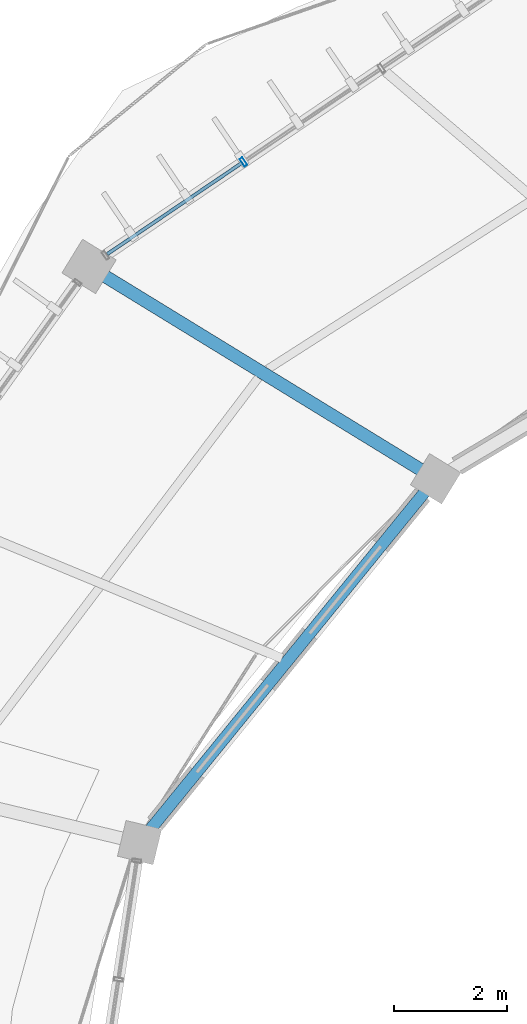
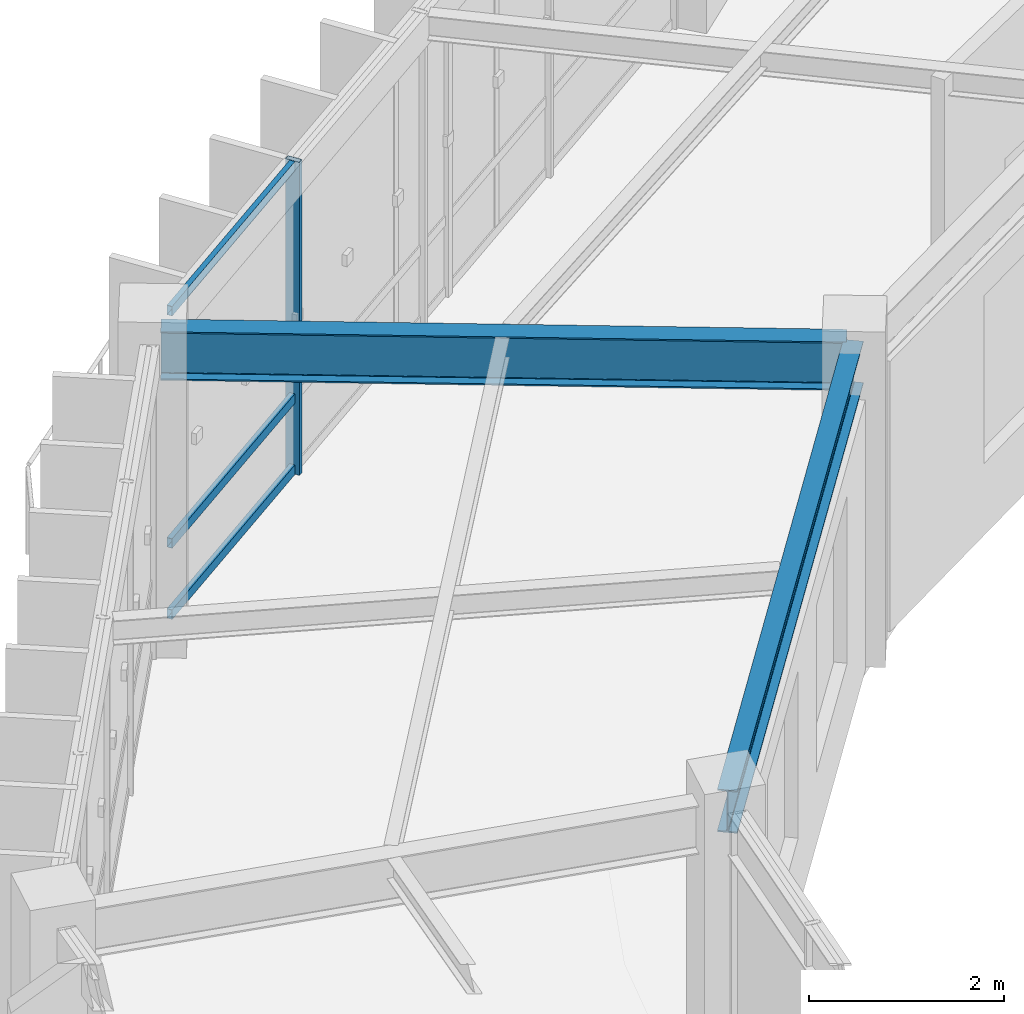
# One storey, part 43 of 138: 4 members, 2 beams, 1 element without a shape of its own.
"""IFC4 building model written with IfcOpenShell, lengths in metres."""

from ifc_helpers import new_model, si_unit, direction, frame, origin, origin_2d, place, context, subcontext, project, spatial, hollow_rectangle, i_section, extrude, material, material_profile, profile_set, type_object, element, aggregate, save


model = new_model("IFC4")

# Units and contexts
model_context = context("Model", 3, precision=1e-05, world=origin(), true_north=direction((0.0, 1.0)))
body_context = subcontext(model_context, "Body", "Model", "MODEL_VIEW")
ifc_project = project(units=[si_unit("LENGTHUNIT", "METRE"), si_unit("AREAUNIT", "SQUARE_METRE"), si_unit("VOLUMEUNIT", "CUBIC_METRE"), si_unit("PLANEANGLEUNIT", "RADIAN"), si_unit("MASSUNIT", "GRAM", prefix="KILO"), si_unit("THERMODYNAMICTEMPERATUREUNIT", "KELVIN"), si_unit("POWERUNIT", "WATT")], contexts=[model_context])

# Site, building, storey
site_placement = place(None, origin())
site = spatial("IfcSite", under=ifc_project, at=site_placement, CompositionType="ELEMENT")
building_placement = place(site_placement, origin())
building = spatial("IfcBuilding", under=site, at=building_placement, Name="Darbajah Civic Hall", CompositionType="ELEMENT")
storey_placement = place(building_placement, frame((0.0, 0.0, 9.60009765625)))
storey = spatial("IfcBuildingStorey", under=building, at=storey_placement, Name="L02", CompositionType="ELEMENT", Elevation=9.60009765625)

# Curtain wall, members
ifc_material_1 = material(Name="Anodised Bronze Aluminium and Low-E Glazing", Category="aluminium")
curtain_wall_type = type_object("IfcCurtainWallType", Name="Unitised Curtain Wall CW-26 11800x3900", PredefinedType="USERDEFINED", material=ifc_material_1)
curtain_wall_placement = place(storey_placement, origin())
curtain_wall = element("IfcCurtainWall", 1, at=curtain_wall_placement, inside=storey, type_object=curtain_wall_type, Name="L02 unitised curtain wall CW-V1O-L02-07", ObjectType="UNITISED CURTAIN WALL", PredefinedType="USERDEFINED")
ifc_material_2 = material(Name="Anodised Bronze Aluminium", Category="aluminium")
ifc_material_profile_1 = material_profile(ifc_material_2, hollow_rectangle(XDim=0.06005859375, YDim=0.159912109375, WallThickness=0.00341796875, at=origin_2d()), Name="ALU MULLION 60x160")
ifc_profile_set_1 = profile_set([ifc_material_profile_1], Name="Anodised Bronze Aluminium")
member_type_1 = type_object("IfcMemberType", Name="ALU MULLION 60x160", PredefinedType="MULLION", material=ifc_profile_set_1)
member_1_placement = place(storey_placement, frame((48.351806640625, 107.06689453125, 0.0), z_axis=(0.0, 0.0, 1.0), x_axis=(-0.827962472047, -0.560783509816, 0.0)))
member_1 = element("IfcMember", 2, at=member_1_placement, type_object=member_type_1, Name="CW-V1O-L02-07 mullion 4", PredefinedType="MULLION", context=body_context, shape_type="SweptSolid", body=[
    extrude(hollow_rectangle(XDim=0.06005859375, YDim=0.159912109375, WallThickness=0.00341796875, at=origin_2d()), origin(), (0.0, 0.0, 1.0), 3.919921875),
])
ifc_material_profile_2 = material_profile(ifc_material_2, hollow_rectangle(XDim=0.06005859375, YDim=0.1201171875, WallThickness=0.003173828125, at=origin_2d()), Name="ALU TRANSOM 60x120")
ifc_profile_set_2 = profile_set([ifc_material_profile_2], Name="Anodised Bronze Aluminium")
member_type_2 = type_object("IfcMemberType", Name="ALU TRANSOM 60x120", PredefinedType="USERDEFINED", material=ifc_profile_set_2)
member_2_placement = place(storey_placement, frame((48.32275390625, 107.04736328125, 0.059814453125), z_axis=(-0.82796308398, -0.560782606333, 0.0), x_axis=(0.560782606333, -0.82796308398, 0.0)))
member_2 = element("IfcMember", 3, at=member_2_placement, type_object=member_type_2, Name="CW-V1O-L02-07 transom 4.1", ObjectType="TRANSOM", PredefinedType="USERDEFINED", context=body_context, shape_type="SweptSolid", body=[
    extrude(hollow_rectangle(XDim=0.06005859375, YDim=0.1201171875, WallThickness=0.003173828125, at=origin_2d()), origin(), (0.0, 0.0, 1.0), 2.8828125),
])
member_3_placement = place(storey_placement, frame((48.32275390625, 107.04736328125, 0.949951171875), z_axis=(-0.82796308398, -0.560782606333, 0.0), x_axis=(0.560782606333, -0.82796308398, 0.0)))
member_3 = element("IfcMember", 4, at=member_3_placement, type_object=member_type_2, Name="CW-V1O-L02-07 transom 4.2", ObjectType="TRANSOM", PredefinedType="USERDEFINED", context=body_context, shape_type="SweptSolid", body=[
    extrude(hollow_rectangle(XDim=0.06005859375, YDim=0.1201171875, WallThickness=0.003173828125, at=origin_2d()), origin(), (0.0, 0.0, 1.0), 2.8828125),
])
member_4_placement = place(storey_placement, frame((48.32275390625, 107.04736328125, 3.85986328125), z_axis=(-0.82796308398, -0.560782606333, 0.0), x_axis=(0.560782606333, -0.82796308398, 0.0)))
member_4 = element("IfcMember", 5, at=member_4_placement, type_object=member_type_2, Name="CW-V1O-L02-07 transom 4.3", ObjectType="TRANSOM", PredefinedType="USERDEFINED", context=body_context, shape_type="SweptSolid", body=[
    extrude(hollow_rectangle(XDim=0.06005859375, YDim=0.1201171875, WallThickness=0.003173828125, at=origin_2d()), origin(), (0.0, 0.0, 1.0), 2.8828125),
])
aggregate(curtain_wall, [member_1, member_2, member_3, member_4])

# Beams
ifc_material_3 = material(Name="Steel S355JR", Category="steel")
ifc_material_profile_3 = material_profile(ifc_material_3, i_section(OverallWidth=0.209228515625, OverallDepth=0.533203125, WebThickness=0.010009765625, FlangeThickness=0.015625, FilletRadius=0.0126953125, at=origin_2d()), Name="UB 533x210x92")
ifc_profile_set_3 = profile_set([ifc_material_profile_3], Name="Steel S355JR")
beam_type_1 = type_object("IfcBeamType", Name="UB 533x210x92", PredefinedType="BEAM", material=ifc_profile_set_3)
beam_1_placement = place(storey_placement, frame((51.703857421875, 101.3896484375, 3.6533203125), z_axis=(-0.63108196788, -0.775716152866, 0.0), x_axis=(0.775716152866, -0.63108196788, 0.0)))
element("IfcBeam", 6, at=beam_1_placement, inside=storey, type_object=beam_type_1, Name="L02 beam SB-533", PredefinedType="BEAM", context=body_context, shape_type="SweptSolid", body=[
    extrude(i_section(OverallWidth=0.209228515625, OverallDepth=0.533203125, WebThickness=0.010009765625, FlangeThickness=0.015625, FilletRadius=0.0126953125, at=origin_2d()), origin(), (0.0, 0.0, 1.0), 8.149658203125),
])
ifc_material_profile_4 = material_profile(ifc_material_3, i_section(OverallWidth=0.228271484375, OverallDepth=0.607666015625, WebThickness=0.010986328125, FlangeThickness=0.017333984375, FilletRadius=0.0126953125, at=origin_2d()), Name="UB 610x229x113")
ifc_profile_set_4 = profile_set([ifc_material_profile_4], Name="Steel S355JR")
beam_type_2 = type_object("IfcBeamType", Name="UB 610x229x113", PredefinedType="BEAM", material=ifc_profile_set_4)
beam_2_placement = place(storey_placement, frame((51.686279296875, 101.493408203125, 3.6162109375), z_axis=(-0.852639128905, 0.522500254411, 0.0), x_axis=(-0.522500254411, -0.852639128905, 0.0)))
element("IfcBeam", 7, at=beam_2_placement, inside=storey, type_object=beam_type_2, Name="L02 beam SB-610", PredefinedType="BEAM", context=body_context, shape_type="SweptSolid", body=[
    extrude(i_section(OverallWidth=0.228271484375, OverallDepth=0.607666015625, WebThickness=0.010986328125, FlangeThickness=0.017333984375, FilletRadius=0.0126953125, at=origin_2d()), origin(), (0.0, 0.0, 1.0), 7.0400390625),
])

save(model, "model.ifc")
